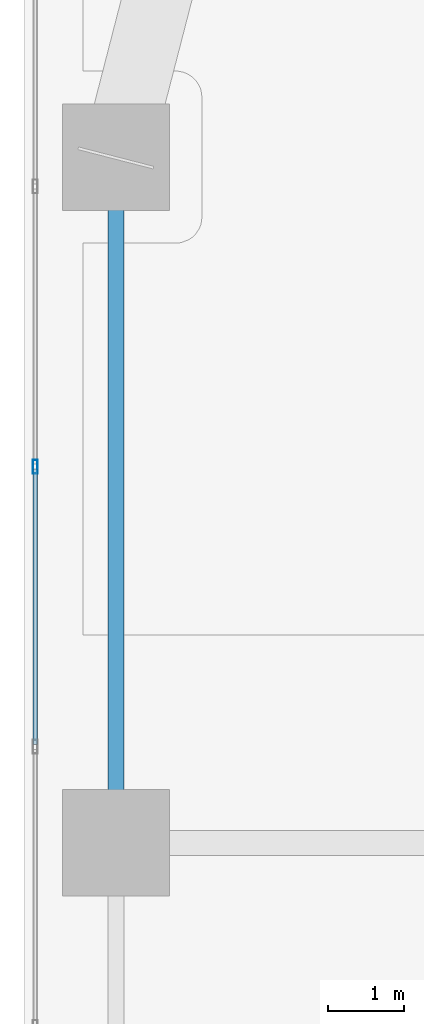
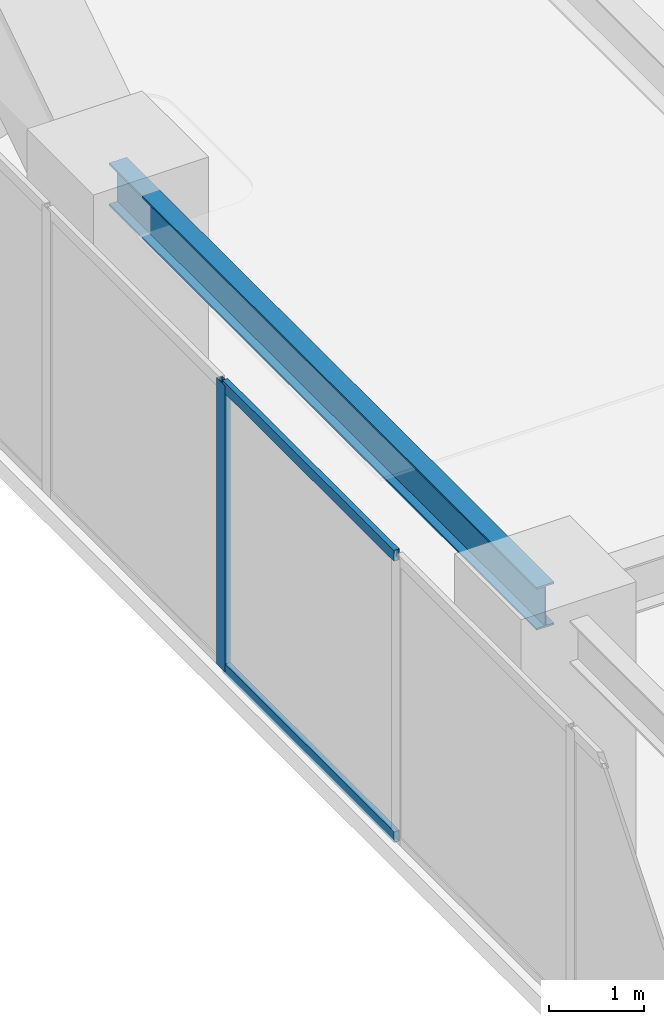
# One storey, part 7 of 30: 3 members, 1 beam, 1 element without a shape of its own.
"""IFC4 building model written with IfcOpenShell, lengths in metres."""

from ifc_helpers import new_model, si_unit, direction, frame, origin, origin_2d, place, context, subcontext, project, spatial, hollow_rectangle, i_section, extrude, material, layer, layer_set, material_profile, profile_set, type_object, element, aggregate, save


model = new_model("IFC4")

# Units and contexts
model_context = context("Model", 3, precision=1e-05, world=origin(), true_north=direction((0.0, 1.0)))
body_context = subcontext(model_context, "Body", "Model", "MODEL_VIEW")
ifc_project = project(units=[si_unit("LENGTHUNIT", "METRE"), si_unit("AREAUNIT", "SQUARE_METRE"), si_unit("VOLUMEUNIT", "CUBIC_METRE"), si_unit("PLANEANGLEUNIT", "RADIAN"), si_unit("MASSUNIT", "GRAM", prefix="KILO")], contexts=[model_context])

# Site, building, storey
site_placement = place(None, origin())
site = spatial("IfcSite", under=ifc_project, at=site_placement, CompositionType="ELEMENT")
building_placement = place(site_placement, origin())
building = spatial("IfcBuilding", under=site, at=building_placement, Name="Kiyonajd Concourse Tower", CompositionType="ELEMENT")
storey_placement = place(building_placement, frame((0.0, 0.0, 154.5)))
storey = spatial("IfcBuildingStorey", under=building, at=storey_placement, Name="L39", CompositionType="ELEMENT", Elevation=154.5)

# Beam
ifc_material_1 = material(Name="Steel ASTM A992 Grade 50", Category="steel")
ifc_material_profile_1 = material_profile(ifc_material_1, i_section(OverallWidth=0.214111328125, OverallDepth=0.549072265625, WebThickness=0.0146484375, FlangeThickness=0.023681640625, at=origin_2d()), Name="W530X138")
ifc_profile_set_1 = profile_set([ifc_material_profile_1], Name="Steel ASTM A992 Grade 50")
beam_type = type_object("IfcBeamType", Name="BM-SPAN-530A", PredefinedType="SPANDREL", material=ifc_profile_set_1)
beam_placement = place(storey_placement, frame((19.199951171875, 53.39990234375, 3.405517578125), z_axis=(0.0, -1.0, 0.0), x_axis=(1.0, 0.0, 0.0)))
element("IfcBeam", 1, at=beam_placement, inside=storey, type_object=beam_type, Name="L39 Perimeter Bundled Tube Spandrel", PredefinedType="SPANDREL", context=body_context, shape_type="SweptSolid", body=[
    extrude(i_section(OverallWidth=0.214111328125, OverallDepth=0.549072265625, WebThickness=0.0146484375, FlangeThickness=0.023681640625, at=origin_2d()), origin(), (0.0, 0.0, 1.0), 9.0),
])

# Curtain wall, members
ifc_material_2 = material(Name="Thermally Broken Anodised Aluminium", Category="aluminium")
ifc_layer = layer(ifc_material_2, 0.179931640625)
ifc_layer_set = layer_set([ifc_layer], Name="Thermally Broken Anodised Aluminium")
curtain_wall_type = type_object("IfcCurtainWallType", Name="CW-SYS-03", PredefinedType="NOTDEFINED", material=ifc_layer_set)
curtain_wall_placement = place(storey_placement, origin())
curtain_wall = element("IfcCurtainWall", 2, at=curtain_wall_placement, inside=storey, type_object=curtain_wall_type, Name="L39 Unitised Curtain Wall CW3", PredefinedType="NOTDEFINED")
ifc_material_profile_2 = material_profile(ifc_material_2, hollow_rectangle(XDim=0.06494140625, YDim=0.179931640625, WallThickness=0.00390625, at=origin_2d()), Name="MULL-65x180")
ifc_profile_set_2 = profile_set([ifc_material_profile_2], Name="Thermally Broken Anodised Aluminium")
member_type_1 = type_object("IfcMemberType", Name="MB-CW-MULL1", PredefinedType="MULLION", material=ifc_profile_set_2)
member_1_placement = place(storey_placement, frame((18.139892578125, 49.337646484375, 0.0), z_axis=(0.0, 0.0, 1.0), x_axis=(-1.0, 0.0, 0.0)))
member_1 = element("IfcMember", 3, at=member_1_placement, type_object=member_type_1, Name="CW3 mullion 5", PredefinedType="MULLION", context=body_context, shape_type="SweptSolid", body=[
    extrude(hollow_rectangle(XDim=0.06494140625, YDim=0.179931640625, WallThickness=0.00390625, at=origin_2d()), origin(), (0.0, 0.0, 1.0), 3.679931640625),
])
ifc_material_profile_3 = material_profile(ifc_material_2, hollow_rectangle(XDim=0.06494140625, YDim=0.139892578125, WallThickness=0.00390625, at=origin_2d()), Name="TRAN-65x140")
ifc_profile_set_3 = profile_set([ifc_material_profile_3], Name="Thermally Broken Anodised Aluminium")
member_type_2 = type_object("IfcMemberType", Name="MB-CW-TRAN1", PredefinedType="USERDEFINED", material=ifc_profile_set_3)
member_2_placement = place(storey_placement, frame((18.139892578125, 45.693359375, 0.032470703125), z_axis=(0.0, 1.0, 0.0), x_axis=(-1.0, 0.0, 0.0)))
member_2 = element("IfcMember", 4, at=member_2_placement, type_object=member_type_2, Name="CW3 transom 4.1", ObjectType="TRANSOM", PredefinedType="USERDEFINED", context=body_context, shape_type="SweptSolid", body=[
    extrude(hollow_rectangle(XDim=0.06494140625, YDim=0.139892578125, WallThickness=0.00390625, at=origin_2d()), origin(), (0.0, 0.0, 1.0), 3.61181640625),
])
member_3_placement = place(storey_placement, frame((18.139892578125, 45.693359375, 3.6474609375), z_axis=(0.0, 1.0, 0.0), x_axis=(-1.0, 0.0, 0.0)))
member_3 = element("IfcMember", 5, at=member_3_placement, type_object=member_type_2, Name="CW3 transom 4.2", ObjectType="TRANSOM", PredefinedType="USERDEFINED", context=body_context, shape_type="SweptSolid", body=[
    extrude(hollow_rectangle(XDim=0.06494140625, YDim=0.139892578125, WallThickness=0.00390625, at=origin_2d()), origin(), (0.0, 0.0, 1.0), 3.61181640625),
])
aggregate(curtain_wall, [member_1, member_2, member_3])

save(model, "model.ifc")
